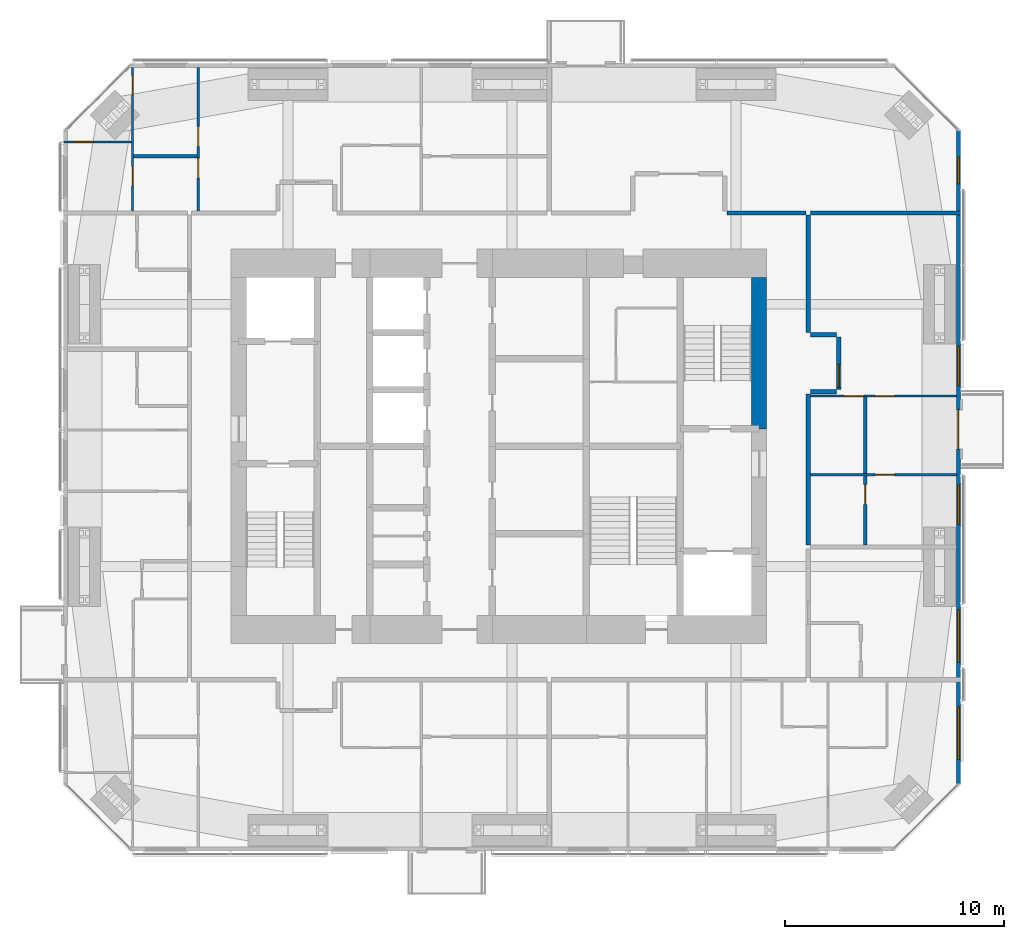
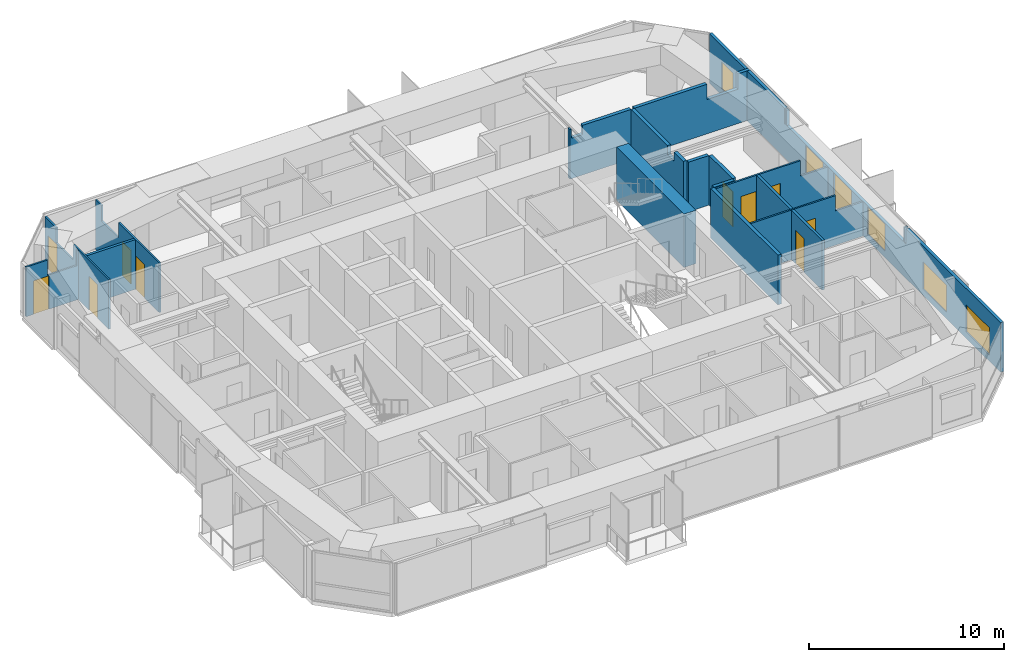
# One storey, part 20 of 22: 17 walls, 11 doors, 5 windows, 16 openings.
"""IFC4 building model written with IfcOpenShell, lengths in metres."""

import ifcopenshell
import ifcopenshell.guid

model = None  # the IFC model being written
_history = None  # IfcOwnerHistory: only IFC2X3 demands one
_inside = {}  # id of a spatial element -> (the spatial element, [elements in it])
_under = {}  # id of a project, library or spatial element -> (it, [spatial elements below it])
_declared = {}  # id of a project -> (the project, [libraries it declares])
_typed = {}  # id of a type object -> (the type object, [elements of that type])
_made_of = {}  # id of a material, layer set ... -> (it, [elements and type objects made of it])


def new_model(schema):
    """Start an empty IFC model of exactly this schema.

    Asked for "IFC4X3", IfcOpenShell would pick the latest addendum, in which some entities
    have other attributes; the version numbers below select the first issue.
    IFC2X3 requires an IfcOwnerHistory on every rooted entity: one is made here for all.
    """
    global model, _history
    if schema == "IFC4X3":
        model = ifcopenshell.file(schema_version=(4, 3, 0, 0))
    else:
        model = ifcopenshell.file(schema=schema)
    _inside.clear()
    _under.clear()
    _declared.clear()
    _typed.clear()
    _made_of.clear()
    _history = None
    if model.schema == "IFC2X3":
        org = make("IfcOrganization", Name="unknown")
        user = make(
            "IfcPersonAndOrganization",
            ThePerson=make("IfcPerson", FamilyName="unknown"),
            TheOrganization=org,
        )
        app = make(
            "IfcApplication",
            ApplicationDeveloper=org,
            Version="unknown",
            ApplicationFullName="unknown",
            ApplicationIdentifier="unknown",
        )
        _history = make(
            "IfcOwnerHistory",
            OwningUser=user,
            OwningApplication=app,
            ChangeAction="ADDED",
            CreationDate=0,
        )
    return model


def make(cls, **values):
    """One entity of the class cls with the attributes given. An attribute that is None is left unset."""
    return model.create_entity(
        cls, **{name: value for name, value in values.items() if value is not None}
    )


def rooted(cls, **values):
    """An entity with a GlobalId (a new one), such as an element, a storey or a relation."""
    return make(cls, GlobalId=ifcopenshell.guid.new(), OwnerHistory=_history, **values)


def si_unit(unit_type, name, prefix=None):
    """IfcSIUnit, for example si_unit("LENGTHUNIT", "METRE", prefix="MILLI")."""
    return make("IfcSIUnit", UnitType=unit_type, Prefix=prefix, Name=name)


def assignment(units):
    """IfcUnitAssignment: the units of a project."""
    return None if units is None else make("IfcUnitAssignment", Units=units)


def point(xyz):
    """IfcCartesianPoint."""
    return None if xyz is None else make("IfcCartesianPoint", Coordinates=xyz)


def direction(xyz):
    """IfcDirection."""
    return None if xyz is None else make("IfcDirection", DirectionRatios=xyz)


def frame(location, z_axis=None, x_axis=None):
    """IfcAxis2Placement3D, a coordinate frame: its origin and axes. An axis left out is left unset."""
    return make(
        "IfcAxis2Placement3D",
        Location=point(location),
        Axis=direction(z_axis),
        RefDirection=direction(x_axis),
    )


def frame_2d(location, x_axis=None):
    """IfcAxis2Placement2D, a coordinate frame in the plane: its origin and x axis."""
    return make(
        "IfcAxis2Placement2D", Location=point(location), RefDirection=direction(x_axis)
    )


def origin():
    """The frame at (0, 0, 0) with its axes left unset."""
    return frame((0.0, 0.0, 0.0))


def place(relative_to, where):
    """IfcLocalPlacement: puts the frame where relative to a parent placement (None: the world)."""
    return make(
        "IfcLocalPlacement", PlacementRelTo=relative_to, RelativePlacement=where
    )


def context(
    kind, dimensions, precision=None, world=None, true_north=None, identifier=None
):
    """IfcGeometricRepresentationContext, for example the 3D "Model" context."""
    return make(
        "IfcGeometricRepresentationContext",
        ContextIdentifier=identifier,
        ContextType=kind,
        CoordinateSpaceDimension=dimensions,
        Precision=precision,
        WorldCoordinateSystem=world,
        TrueNorth=true_north,
    )


def subcontext(parent, identifier, kind, view, scale=None):
    """IfcGeometricRepresentationSubContext, for example "Body" below "Model"."""
    return make(
        "IfcGeometricRepresentationSubContext",
        ContextIdentifier=identifier,
        ContextType=kind,
        ParentContext=parent,
        TargetScale=scale,
        TargetView=view,
    )


def project(units=None, contexts=None):
    """IfcProject with its units and contexts."""
    return rooted(
        "IfcProject",
        Name="project",
        RepresentationContexts=contexts,
        UnitsInContext=assignment(units),
    )


def spatial(cls, under=None, at=None, **own):
    """A site, building, storey or space (cls), placed at a placement, below another one or the project."""
    s = rooted(cls, ObjectPlacement=at, **own)
    if under is not None:
        _under.setdefault(under.id(), (under, []))[1].append(s)
    return s


def polyline(points):
    """IfcPolyline through the points."""
    return make("IfcPolyline", Points=[point(p) for p in points])


def profile(cls, at=None, kind="AREA", **sizes):
    """A parametric profile (cls). Its sizes go by their IFC names, for example OverallWidth=200.0."""
    return make(cls, ProfileType=kind, Position=at, **sizes)


def rectangle(**sizes):
    """IfcRectangleProfileDef."""
    return profile("IfcRectangleProfileDef", **sizes)


def outline(outer, holes=None, kind="AREA"):
    """IfcArbitraryClosedProfileDef: a profile drawn as a closed curve; with holes, ...WithVoids."""
    if holes is None:
        return make("IfcArbitraryClosedProfileDef", ProfileType=kind, OuterCurve=outer)
    return make(
        "IfcArbitraryProfileDefWithVoids",
        ProfileType=kind,
        OuterCurve=outer,
        InnerCurves=holes,
    )


def extrude(swept, where, along, depth):
    """IfcExtrudedAreaSolid: the profile swept, set in the frame where, extruded along a direction by depth."""
    return make(
        "IfcExtrudedAreaSolid",
        SweptArea=swept,
        Position=where,
        ExtrudedDirection=direction(along),
        Depth=depth,
    )


def shape(context_of_items, identifier, shape_type, items):
    """IfcShapeRepresentation: the items that make up one representation, for example the "Body"."""
    return make(
        "IfcShapeRepresentation",
        ContextOfItems=context_of_items,
        RepresentationIdentifier=identifier,
        RepresentationType=shape_type,
        Items=items,
    )


def material(Name=None, Category=None):
    """IfcMaterial."""
    return make("IfcMaterial", Name=Name, Category=Category)


def layer(
    of_material, thickness, ventilated=None, Name=None, Category=None, Priority=None
):
    """IfcMaterialLayer: one layer of a wall or slab, of a material (None: an air gap)."""
    return make(
        "IfcMaterialLayer",
        Material=of_material,
        LayerThickness=thickness,
        IsVentilated=ventilated,
        Name=Name,
        Category=Category,
        Priority=Priority,
    )


def layer_set(layers, Name=None):
    """IfcMaterialLayerSet."""
    return make("IfcMaterialLayerSet", MaterialLayers=layers, LayerSetName=Name)


def constituent(of_material, Name=None, Category=None, fraction=None):
    """IfcMaterialConstituent: one of the materials an element consists of."""
    return make(
        "IfcMaterialConstituent",
        Name=Name,
        Material=of_material,
        Fraction=fraction,
        Category=Category,
    )


def constituent_set(constituents=None, Name=None):
    """IfcMaterialConstituentSet."""
    return make(
        "IfcMaterialConstituentSet", Name=Name, MaterialConstituents=constituents
    )


def made_of(thing, what):
    """Note that an element or type object is made of a material, layer set ...; save() writes the relation."""
    if what is not None:
        _made_of.setdefault(what.id(), (what, []))[1].append(thing)
    return thing


def type_object(cls, material=None, **own):
    """A type object (cls), such as IfcWallType, which elements share."""
    return made_of(rooted(cls, **own), material)


def element(
    cls,
    number,
    at=None,
    inside=None,
    cuts=None,
    type_object=None,
    material=None,
    context=None,
    identifier="Body",
    shape_type=None,
    held_by="IfcProductDefinitionShape",
    body=None,
    shapes=None,
    **own,
):
    """One element of the class cls, such as IfcWall. Its Tag is "e" and its number.

    at: its placement. inside: the storey or other place that contains it. cuts: it is an
    opening in that element (IfcRelVoidsElement). A single representation is given by context,
    identifier, shape_type and body (its items); several are given by shapes. held_by: the class
    of the entity that holds the representations. save() writes the other relations.
    """
    e = rooted(cls, Tag="e%d" % number, ObjectPlacement=at, **own)
    if body is not None:
        shapes = [shape(context, identifier, shape_type, body)]
    if shapes is not None:
        e.Representation = make(held_by, Representations=shapes)
    if inside is not None:
        _inside.setdefault(inside.id(), (inside, []))[1].append(e)
    if cuts is not None:
        rooted(
            "IfcRelVoidsElement", RelatingBuildingElement=cuts, RelatedOpeningElement=e
        )
    if type_object is not None:
        _typed.setdefault(type_object.id(), (type_object, []))[1].append(e)
    return made_of(e, material)


def fill(opening, filler):
    """IfcRelFillsElement: the door or window that sits in an opening."""
    return rooted(
        "IfcRelFillsElement",
        RelatingOpeningElement=opening,
        RelatedBuildingElement=filler,
    )


def aggregate(whole, parts):
    """IfcRelAggregates: a whole, such as a stair, and the parts it consists of."""
    return rooted("IfcRelAggregates", RelatingObject=whole, RelatedObjects=parts)


def save(model, path):
    """Write the relations noted so far, then the file.

    IfcRelAggregates (storeys below a building ...), IfcRelContainedInSpatialStructure (elements
    in a storey), IfcRelDefinesByType, IfcRelAssociatesMaterial and IfcRelDeclares: one each for
    every whole, place, type object, material and project.
    """
    for whole, parts in _under.values():
        aggregate(whole, parts)
    for where, things in _inside.values():
        rooted(
            "IfcRelContainedInSpatialStructure",
            RelatedElements=things,
            RelatingStructure=where,
        )
    for kind, things in _typed.values():
        rooted("IfcRelDefinesByType", RelatedObjects=things, RelatingType=kind)
    for what, things in _made_of.values():
        rooted("IfcRelAssociatesMaterial", RelatedObjects=things, RelatingMaterial=what)
    for by, libraries in _declared.values():
        rooted("IfcRelDeclares", RelatingContext=by, RelatedDefinitions=libraries)
    model.write(path)


model = new_model("IFC4")

# Units and contexts
model_context = context("Model", 3, precision=1e-05, world=origin(), true_north=direction((0.0, 1.0)))
body_context = subcontext(model_context, "Body", "Model", "MODEL_VIEW")
ifc_project = project(units=[si_unit("LENGTHUNIT", "METRE"), si_unit("AREAUNIT", "SQUARE_METRE"), si_unit("VOLUMEUNIT", "CUBIC_METRE"), si_unit("PLANEANGLEUNIT", "RADIAN"), si_unit("MASSUNIT", "GRAM", prefix="KILO")], contexts=[model_context])

# Site, building, storey
site_placement = place(None, origin())
site = spatial("IfcSite", under=ifc_project, at=site_placement, CompositionType="ELEMENT")
building_placement = place(site_placement, origin())
building = spatial("IfcBuilding", under=site, at=building_placement, Name="Jalousie Tower", CompositionType="ELEMENT")
storey_placement = place(building_placement, frame((0.0, 0.0, 201.25)))
storey = spatial("IfcBuildingStorey", under=building, at=storey_placement, Name="L55", CompositionType="ELEMENT", Elevation=201.25)

# Wall
ifc_material_1 = material(Name="Concrete block ASTM C90", Category="concrete")
ifc_constituent_1 = constituent(ifc_material_1, Name="Body")
ifc_material_2 = material(Name="Render")
ifc_constituent_2 = constituent(ifc_material_2, Name="Finish")
ifc_constituent_set_1 = constituent_set(constituents=[ifc_constituent_1, ifc_constituent_2])
wall_type_1 = type_object("IfcWallType", Name="BATHROOM WALL 150", PredefinedType="PLUMBINGWALL", material=ifc_constituent_set_1)
wall_1_placement = place(storey_placement, frame((15.199951171875, 31.77490234375, 0.0), z_axis=(0.0, 0.0, 1.0), x_axis=(1.0, 0.0, 0.0)))
element("IfcWall", 1, at=wall_1_placement, inside=storey, type_object=wall_type_1, Name="Bathroom Wall 150 L55", PredefinedType="PLUMBINGWALL", context=body_context, shape_type="SweptSolid", body=[
    extrude(rectangle(XDim=2.900146484375, YDim=0.14990234375, at=frame_2d((1.4501953125, 0.0))), origin(), (0.0, 0.0, 1.0), 3.110107421875),
])

# Wall, opening, door
wall_2_placement = place(storey_placement, frame((48.64990234375, 14.0, 0.0), z_axis=(0.0, 0.0, 1.0), x_axis=(0.0, 1.0, 0.0)))
wall_2 = element("IfcWall", 2, at=wall_2_placement, inside=storey, type_object=wall_type_1, Name="Bathroom Wall 150 L55", PredefinedType="PLUMBINGWALL", context=body_context, shape_type="SweptSolid", body=[
    extrude(rectangle(XDim=3.14990234375, YDim=0.14990234375, at=frame_2d((1.574951171875, 0.0))), origin(), (0.0, 0.0, 1.0), 3.110107421875),
])
opening_1_placement = place(wall_2_placement, frame((1.85009765625, 0.0, 0.0)))
opening_1 = element("IfcOpeningElement", 3, at=opening_1_placement, cuts=wall_2, Name="Opening D3", PredefinedType="OPENING", context=body_context, shape_type="SweptSolid", body=[
    extrude(rectangle(XDim=0.89990234375, YDim=2.10009765625, at=frame_2d((0.449951171875, 1.050048828125))), frame((0.0, 0.0849609375, 0.0), z_axis=(0.0, -1.0, 0.0), x_axis=(1.0, 0.0, 0.0)), (0.0, 0.0, 1.0), 0.169921875),
])
ifc_material_3 = material(Name="Timber door", Category="wood")
door_type_1 = type_object("IfcDoorType", Name="BATHROOM DOOR 900", OperationType="SINGLE_SWING_LEFT", PredefinedType="DOOR", material=ifc_material_3)
door_1_placement = place(opening_1_placement, origin())
door_1 = element("IfcDoor", 4, at=door_1_placement, inside=storey, type_object=door_type_1, Name="Apartment 5507 bedroom 1 bathroom door", OperationType="SINGLE_SWING_RIGHT", OverallHeight=2.10009765625, OverallWidth=0.89990234375, PredefinedType="DOOR", context=body_context, shape_type="SweptSolid", body=[
    extrude(rectangle(XDim=0.89990234375, YDim=2.10009765625, at=frame_2d((0.449951171875, 1.050048828125))), frame((0.0, 0.02490234375, 0.0), z_axis=(0.0, -1.0, 0.0), x_axis=(1.0, 0.0, 0.0)), (0.0, 0.0, 1.0), 0.050048828125),
])
fill(opening_1, door_1)

# Walls
wall_3_placement = place(storey_placement, frame((48.64990234375, 17.25, 0.0), z_axis=(0.0, 0.0, 1.0), x_axis=(0.0, 1.0, 0.0)))
element("IfcWall", 5, at=wall_3_placement, inside=storey, type_object=wall_type_1, Name="Bathroom Wall 150 L55", PredefinedType="PLUMBINGWALL", context=body_context, shape_type="SweptSolid", body=[
    extrude(rectangle(XDim=3.5, YDim=0.14990234375, at=frame_2d((1.75, 0.0))), origin(), (0.0, 0.0, 1.0), 3.110107421875),
])
ifc_material_4 = material(Name="Concrete f'c 120 MPa", Category="concrete")
ifc_layer = layer(ifc_material_4, 0.699951171875)
ifc_layer_set = layer_set([ifc_layer], Name="Concrete f'c 120 MPa")
wall_type_2 = type_object("IfcWallType", Name="CORE WALL 700", PredefinedType="SHEAR", material=ifc_layer_set)
wall_4_placement = place(storey_placement, frame((43.800048828125, 19.300048828125, 0.0), z_axis=(0.0, 0.0, 1.0), x_axis=(0.0, 1.0, 0.0)))
element("IfcWall", 6, at=wall_4_placement, inside=storey, type_object=wall_type_2, Name="Core wall EC L55", PredefinedType="SHEAR", context=body_context, shape_type="SweptSolid", body=[
    extrude(rectangle(XDim=6.925048828125, YDim=0.699951171875, at=frame_2d((3.46240234375, 0.0))), origin(), (0.0, 0.0, 1.0), 3.35009765625),
])
ifc_material_5 = material(Name="Concrete block ASTM C90", Category="concrete")
ifc_constituent_3 = constituent(ifc_material_5, Name="Body")
ifc_material_6 = material(Name="Render")
ifc_constituent_4 = constituent(ifc_material_6, Name="Finish")
ifc_constituent_set_2 = constituent_set(constituents=[ifc_constituent_3, ifc_constituent_4])
wall_type_3 = type_object("IfcWallType", Name="CORRIDOR WALL 200", PredefinedType="PARTITIONING", material=ifc_constituent_set_2)
wall_5_placement = place(storey_placement, frame((46.050048828125, 14.0, 0.0), z_axis=(0.0, 0.0, 1.0), x_axis=(0.0, 1.0, 0.0)))
element("IfcWall", 7, at=wall_5_placement, inside=storey, type_object=wall_type_3, Name="Corridor Wall 200 L55", PredefinedType="PARTITIONING", context=body_context, shape_type="SweptSolid", body=[
    extrude(rectangle(XDim=6.89990234375, YDim=0.199951171875, at=frame_2d((3.449951171875, 0.0))), origin(), (0.0, 0.0, 1.0), 3.110107421875),
])
wall_6_placement = place(storey_placement, frame((46.050048828125, 23.699951171875, 0.0), z_axis=(0.0, 0.0, 1.0), x_axis=(0.0, 1.0, 0.0)))
element("IfcWall", 8, at=wall_6_placement, inside=storey, type_object=wall_type_3, Name="Corridor Wall 200 L55", PredefinedType="PARTITIONING", context=body_context, shape_type="SweptSolid", body=[
    extrude(outline(polyline([(0.0, 0.0), (5.375, 0.0), (5.375, 3.110107421875), (1.63720703125, 3.110107421875), (1.63720703125, 2.541015625), (0.962646484375, 2.541015625), (0.962646484375, 3.110107421875), (0.0, 3.110107421875), (0.0, 0.0)])), frame((0.0, 0.10009765625, 0.0), z_axis=(0.0, -1.0, 0.0), x_axis=(1.0, 0.0, 0.0)), (0.0, 0.0, 1.0), 0.199951171875),
])

# Wall, opening, door
wall_7_placement = place(storey_placement, frame((47.449951171875, 21.10009765625, 0.0), z_axis=(0.0, 0.0, 1.0), x_axis=(0.0, 1.0, 0.0)))
wall_7 = element("IfcWall", 9, at=wall_7_placement, inside=storey, type_object=wall_type_3, Name="Corridor Wall 200 L55", PredefinedType="PARTITIONING", context=body_context, shape_type="SweptSolid", body=[
    extrude(rectangle(XDim=2.39990234375, YDim=0.199951171875, at=frame_2d((1.199951171875, 0.0))), origin(), (0.0, 0.0, 1.0), 3.110107421875),
])
opening_2_placement = place(wall_7_placement, frame((0.10009765625, 0.0, 0.0)))
opening_2 = element("IfcOpeningElement", 10, at=opening_2_placement, cuts=wall_7, Name="Opening D1", PredefinedType="OPENING", context=body_context, shape_type="SweptSolid", body=[
    extrude(rectangle(XDim=1.050048828125, YDim=2.199951171875, at=frame_2d((0.52490234375, 1.10009765625))), frame((0.0, 0.10986328125, 0.0), z_axis=(0.0, -1.0, 0.0), x_axis=(1.0, 0.0, 0.0)), (0.0, 0.0, 1.0), 0.219970703125),
])
ifc_material_7 = material(Name="Timber fire door", Category="wood")
door_type_2 = type_object("IfcDoorType", Name="APARTMENT ENTRANCE DOOR 1050", OperationType="SINGLE_SWING_LEFT", PredefinedType="DOOR", material=ifc_material_7)
door_2_placement = place(opening_2_placement, frame((1.050048828125, 0.0, 0.0), z_axis=(0.0, 0.0, 1.0), x_axis=(-1.0, 0.0, 0.0)))
door_2 = element("IfcDoor", 11, at=door_2_placement, inside=storey, type_object=door_type_2, Name="Apartment 5507 entrance", OperationType="SINGLE_SWING_RIGHT", OverallHeight=2.199951171875, OverallWidth=1.050048828125, PredefinedType="DOOR", context=body_context, shape_type="SweptSolid", body=[
    extrude(rectangle(XDim=1.050048828125, YDim=2.199951171875, at=frame_2d((0.52490234375, 1.10009765625))), frame((0.0, 0.02490234375, 0.0), z_axis=(0.0, -1.0, 0.0), x_axis=(1.0, 0.0, 0.0)), (0.0, 0.0, 1.0), 0.050048828125),
])
fill(opening_2, door_2)

# Walls
for number, where, z_axis, x_axis, name in (
    (12, (46.14990234375, 21.0, 0.0), (0.0, 0.0, 1.0), (1.0, 0.0, 0.0), "Corridor Wall 200 L55"),
    (13, (46.14990234375, 23.60009765625, 0.0), (0.0, 0.0, 1.0), (1.0, 0.0, 0.0), "Corridor Wall 200 L55"),
):
    element("IfcWall", number, at=place(storey_placement, frame(where, z_axis=z_axis, x_axis=x_axis)), inside=storey, type_object=wall_type_3, Name=name, PredefinedType="PARTITIONING", context=body_context, shape_type="SweptSolid", body=[
        extrude(rectangle(XDim=1.2001953125, YDim=0.199951171875, at=frame_2d((0.60009765625, 0.0))), origin(), (0.0, 0.0, 1.0), 3.110107421875),
    ])
wall_8_placement = place(storey_placement, frame((42.324951171875, 29.175048828125, 0.0), z_axis=(0.0, 0.0, 1.0), x_axis=(1.0, 0.0, 0.0)))
element("IfcWall", 14, at=wall_8_placement, inside=storey, type_object=wall_type_3, Name="Corridor Wall 200 L55", PredefinedType="PARTITIONING", context=body_context, shape_type="SweptSolid", body=[
    extrude(outline(polyline([(0.0, 0.0), (3.625, 0.0), (3.625, 3.110107421875), (0.76220703125, 3.110107421875), (0.76220703125, 2.541015625), (0.087646484375, 2.541015625), (0.087646484375, 3.110107421875), (0.0, 3.110107421875), (0.0, 0.0)])), frame((0.0, 0.10009765625, 0.0), z_axis=(0.0, -1.0, 0.0), x_axis=(1.0, 0.0, 0.0)), (0.0, 0.0, 1.0), 0.199951171875),
])

# Wall, openings, door, windows
ifc_material_8 = material(Name="Concrete f'c 40 MPa", Category="concrete")
ifc_constituent_5 = constituent(ifc_material_8, Name="Body")
ifc_material_9 = material(Name="Render, pastel lemon")
ifc_constituent_6 = constituent(ifc_material_9, Name="Finish")
ifc_constituent_set_3 = constituent_set(constituents=[ifc_constituent_5, ifc_constituent_6])
wall_type_4 = type_object("IfcWallType", Name="EXTERNAL WALL 175 LEMON RENDER", PredefinedType="SOLIDWALL", material=ifc_constituent_set_3)
wall_9_placement = place(storey_placement, frame((52.91259765625, 3.05126953125, 0.0), z_axis=(0.0, 0.0, 1.0), x_axis=(0.0, 1.0, 0.0)))
wall_9 = element("IfcWall", 15, at=wall_9_placement, inside=storey, type_object=wall_type_4, Name="External Wall 175 Lemon Render L55", PredefinedType="SOLIDWALL", context=body_context, shape_type="SweptSolid", body=[
    extrude(outline(polyline([(0.0, 0.0), (29.8974609375, 0.0), (29.8974609375, 3.110107421875), (22.16748046875, 3.110107421875), (22.16748046875, 2.14990234375), (22.073974609375, 2.14990234375), (22.073974609375, 3.110107421875), (21.94873046875, 3.110107421875), (21.94873046875, 2.14990234375), (9.94873046875, 2.14990234375), (9.94873046875, 3.110107421875), (9.846923828125, 3.110107421875), (9.846923828125, 2.14990234375), (9.7060546875, 2.14990234375), (9.7060546875, 3.110107421875), (0.0, 3.110107421875), (0.0, 0.0)])), frame((0.0, 0.08740234375, 0.0), z_axis=(0.0, -1.0, 0.0), x_axis=(1.0, 0.0, 0.0)), (0.0, 0.0, 1.0), 0.175048828125),
])
opening_3_placement = place(wall_9_placement, frame((1.136962890625, 0.0, 0.39990234375)))
opening_3 = element("IfcOpeningElement", 16, at=opening_3_placement, cuts=wall_9, Name="Opening W-LIV170", PredefinedType="OPENING", context=body_context, shape_type="SweptSolid", body=[
    extrude(rectangle(XDim=2.39990234375, YDim=1.699951171875, at=frame_2d((1.199951171875, 0.85009765625))), frame((0.0, 0.097412109375, 0.0), z_axis=(0.0, -1.0, 0.0), x_axis=(1.0, 0.0, 0.0)), (0.0, 0.0, 1.0), 0.195068359375),
])
opening_4_placement = place(wall_9_placement, frame((5.570556640625, 0.0, 0.39990234375)))
opening_4 = element("IfcOpeningElement", 17, at=opening_4_placement, cuts=wall_9, Name="Opening W-LIV170", PredefinedType="OPENING", context=body_context, shape_type="SweptSolid", body=[
    extrude(rectangle(XDim=2.39990234375, YDim=1.699951171875, at=frame_2d((1.199951171875, 0.85009765625))), frame((0.0, 0.097412109375, 0.0), z_axis=(0.0, -1.0, 0.0), x_axis=(1.0, 0.0, 0.0)), (0.0, 0.0, 1.0), 0.195068359375),
])
opening_5_placement = place(wall_9_placement, frame((11.878662109375, 0.0, 0.39990234375)))
opening_5 = element("IfcOpeningElement", 18, at=opening_5_placement, cuts=wall_9, Name="Opening W-BED170", PredefinedType="OPENING", context=body_context, shape_type="SweptSolid", body=[
    extrude(rectangle(XDim=1.800048828125, YDim=1.699951171875, at=frame_2d((0.89990234375, 0.85009765625))), frame((0.0, 0.097412109375, 0.0), z_axis=(0.0, -1.0, 0.0), x_axis=(1.0, 0.0, 0.0)), (0.0, 0.0, 1.0), 0.195068359375),
])
opening_6_placement = place(wall_9_placement, frame((15.32373046875, 0.0, 0.0)))
opening_6 = element("IfcOpeningElement", 19, at=opening_6_placement, cuts=wall_9, Name="Opening D-BAL21", PredefinedType="OPENING", context=body_context, shape_type="SweptSolid", body=[
    extrude(rectangle(XDim=1.800048828125, YDim=2.10009765625, at=frame_2d((0.89990234375, 1.050048828125))), frame((0.0, 0.097412109375, 0.0), z_axis=(0.0, -1.0, 0.0), x_axis=(1.0, 0.0, 0.0)), (0.0, 0.0, 1.0), 0.195068359375),
])
opening_7_placement = place(wall_9_placement, frame((18.2236328125, 0.0, 0.39990234375)))
opening_7 = element("IfcOpeningElement", 20, at=opening_7_placement, cuts=wall_9, Name="Opening W-BED170", PredefinedType="OPENING", context=body_context, shape_type="SweptSolid", body=[
    extrude(rectangle(XDim=1.800048828125, YDim=1.699951171875, at=frame_2d((0.89990234375, 0.85009765625))), frame((0.0, 0.097412109375, 0.0), z_axis=(0.0, -1.0, 0.0), x_axis=(1.0, 0.0, 0.0)), (0.0, 0.0, 1.0), 0.195068359375),
])
opening_8_placement = place(wall_9_placement, frame((27.460693359375, 0.0, 0.39990234375)))
opening_8 = element("IfcOpeningElement", 21, at=opening_8_placement, cuts=wall_9, Name="Opening W-COR170", PredefinedType="OPENING", context=body_context, shape_type="SweptSolid", body=[
    extrude(rectangle(XDim=1.199951171875, YDim=1.699951171875, at=frame_2d((0.60009765625, 0.85009765625))), frame((0.0, 0.097412109375, 0.0), z_axis=(0.0, -1.0, 0.0), x_axis=(1.0, 0.0, 0.0)), (0.0, 0.0, 1.0), 0.195068359375),
])
ifc_material_10 = material(Name="Aluminium frame, impact-rated glazing", Category="aluminium")
door_type_3 = type_object("IfcDoorType", Name="BALCONY DOOR 1800x2100", OperationType="SLIDING_TO_LEFT", PredefinedType="DOOR", material=ifc_material_10)
door_3_placement = place(opening_6_placement, origin())
door_3 = element("IfcDoor", 22, at=door_3_placement, inside=storey, type_object=door_type_3, Name="Apartment 5507 bedroom 2 balcony door", OperationType="SLIDING_TO_LEFT", OverallHeight=2.10009765625, OverallWidth=1.800048828125, PredefinedType="DOOR", context=body_context, shape_type="SweptSolid", body=[
    extrude(rectangle(XDim=1.800048828125, YDim=2.10009765625, at=frame_2d((0.89990234375, 1.050048828125))), frame((0.0, 0.02490234375, 0.0), z_axis=(0.0, -1.0, 0.0), x_axis=(1.0, 0.0, 0.0)), (0.0, 0.0, 1.0), 0.050048828125),
])
fill(opening_6, door_3)
ifc_material_11 = material(Name="Aluminium frame, impact-rated glazing", Category="aluminium")
window_type_1 = type_object("IfcWindowType", Name="WINDOW BED 1800x1700", PartitioningType="SINGLE_PANEL", PredefinedType="WINDOW", material=ifc_material_11)
window_1_placement = place(opening_5_placement, origin())
window_1 = element("IfcWindow", 23, at=window_1_placement, inside=storey, type_object=window_type_1, Name="Apartment 5507 bedroom 1 window", OverallHeight=1.699951171875, OverallWidth=1.800048828125, PartitioningType="SINGLE_PANEL", PredefinedType="WINDOW", context=body_context, shape_type="SweptSolid", body=[
    extrude(rectangle(XDim=1.800048828125, YDim=1.699951171875, at=frame_2d((0.89990234375, 0.85009765625))), frame((0.0, 0.030029296875, 0.0), z_axis=(0.0, -1.0, 0.0), x_axis=(1.0, 0.0, 0.0)), (0.0, 0.0, 1.0), 0.06005859375),
])
fill(opening_5, window_1)
window_2_placement = place(opening_7_placement, origin())
window_2 = element("IfcWindow", 24, at=window_2_placement, inside=storey, type_object=window_type_1, Name="Apartment 5507 living, dining and kitchen window", OverallHeight=1.699951171875, OverallWidth=1.800048828125, PartitioningType="SINGLE_PANEL", PredefinedType="WINDOW", context=body_context, shape_type="SweptSolid", body=[
    extrude(rectangle(XDim=1.800048828125, YDim=1.699951171875, at=frame_2d((0.89990234375, 0.85009765625))), frame((0.0, 0.030029296875, 0.0), z_axis=(0.0, -1.0, 0.0), x_axis=(1.0, 0.0, 0.0)), (0.0, 0.0, 1.0), 0.06005859375),
])
fill(opening_7, window_2)
ifc_material_12 = material(Name="Aluminium frame, impact-rated glazing", Category="aluminium")
window_type_2 = type_object("IfcWindowType", Name="WINDOW COR 1200x1700", PartitioningType="SINGLE_PANEL", PredefinedType="WINDOW", material=ifc_material_12)
window_3_placement = place(opening_8_placement, origin())
window_3 = element("IfcWindow", 25, at=window_3_placement, inside=storey, type_object=window_type_2, Name="Residents' lounge window", OverallHeight=1.699951171875, OverallWidth=1.199951171875, PartitioningType="SINGLE_PANEL", PredefinedType="WINDOW", context=body_context, shape_type="SweptSolid", body=[
    extrude(rectangle(XDim=1.199951171875, YDim=1.699951171875, at=frame_2d((0.60009765625, 0.85009765625))), frame((0.0, 0.030029296875, 0.0), z_axis=(0.0, -1.0, 0.0), x_axis=(1.0, 0.0, 0.0)), (0.0, 0.0, 1.0), 0.06005859375),
])
fill(opening_8, window_3)
ifc_material_13 = material(Name="Aluminium frame, impact-rated glazing", Category="aluminium")
window_type_3 = type_object("IfcWindowType", Name="WINDOW LIV 2400x1700", PartitioningType="DOUBLE_PANEL_VERTICAL", PredefinedType="WINDOW", material=ifc_material_13)
window_4_placement = place(opening_3_placement, origin())
window_4 = element("IfcWindow", 26, at=window_4_placement, inside=storey, type_object=window_type_3, Name="Apartment 5502 living and dining room window", OverallHeight=1.699951171875, OverallWidth=2.39990234375, PartitioningType="SINGLE_PANEL", PredefinedType="WINDOW", context=body_context, shape_type="SweptSolid", body=[
    extrude(rectangle(XDim=2.39990234375, YDim=1.699951171875, at=frame_2d((1.199951171875, 0.85009765625))), frame((0.0, 0.030029296875, 0.0), z_axis=(0.0, -1.0, 0.0), x_axis=(1.0, 0.0, 0.0)), (0.0, 0.0, 1.0), 0.06005859375),
])
fill(opening_3, window_4)
window_5_placement = place(opening_4_placement, origin())
window_5 = element("IfcWindow", 27, at=window_5_placement, inside=storey, type_object=window_type_3, Name="Apartment 5506 studio kitchen, living and sleeping room window", OverallHeight=1.699951171875, OverallWidth=2.39990234375, PartitioningType="SINGLE_PANEL", PredefinedType="WINDOW", context=body_context, shape_type="SweptSolid", body=[
    extrude(rectangle(XDim=2.39990234375, YDim=1.699951171875, at=frame_2d((1.199951171875, 0.85009765625))), frame((0.0, 0.030029296875, 0.0), z_axis=(0.0, -1.0, 0.0), x_axis=(1.0, 0.0, 0.0)), (0.0, 0.0, 1.0), 0.06005859375),
])
fill(opening_4, window_5)

# Wall, openings, doors
ifc_material_14 = material(Name="Gypsum board", Category="gypsum")
ifc_constituent_7 = constituent(ifc_material_14, Name="Body")
ifc_material_15 = material(Name="Light-gauge steel studs ASTM A653 SS Grade 33", Category="steel")
ifc_constituent_8 = constituent(ifc_material_15, Name="Framing")
ifc_constituent_set_4 = constituent_set(constituents=[ifc_constituent_7, ifc_constituent_8])
wall_type_5 = type_object("IfcWallType", Name="PARTITION 100", PredefinedType="PARTITIONING", material=ifc_constituent_set_4)
wall_10_placement = place(storey_placement, frame((15.14990234375, 35.824951171875, 0.0), z_axis=(0.0, 0.0, 1.0), x_axis=(0.0, -1.0, 0.0)))
wall_10 = element("IfcWall", 28, at=wall_10_placement, inside=storey, type_object=wall_type_5, Name="Partition 100 L55", PredefinedType="PARTITIONING", context=body_context, shape_type="SweptSolid", body=[
    extrude(outline(polyline([(0.0, 0.0), (6.550048828125, 0.0), (6.550048828125, 3.110107421875), (2.905029296875, 3.110107421875), (2.905029296875, 2.14990234375), (1.158203125, 2.14990234375), (1.158203125, 3.110107421875), (0.0, 3.110107421875), (0.0, 0.0)])), frame((0.0, 0.050048828125, 0.0), z_axis=(0.0, -1.0, 0.0), x_axis=(1.0, 0.0, 0.0)), (0.0, 0.0, 1.0), 0.10009765625),
])
opening_9_placement = place(wall_10_placement, frame((0.35498046875, 0.0, 0.0)))
opening_9 = element("IfcOpeningElement", 29, at=opening_9_placement, cuts=wall_10, Name="Opening D2", PredefinedType="OPENING", context=body_context, shape_type="SweptSolid", body=[
    extrude(rectangle(XDim=0.89990234375, YDim=2.10009765625, at=frame_2d((0.449951171875, 1.050048828125))), frame((0.0, 0.06005859375, 0.0), z_axis=(0.0, -1.0, 0.0), x_axis=(1.0, 0.0, 0.0)), (0.0, 0.0, 1.0), 0.1201171875),
])
opening_10_placement = place(wall_10_placement, frame((4.52734375, 0.0, 0.0)))
opening_10 = element("IfcOpeningElement", 30, at=opening_10_placement, cuts=wall_10, Name="Opening D3", PredefinedType="OPENING", context=body_context, shape_type="SweptSolid", body=[
    extrude(rectangle(XDim=0.89990234375, YDim=2.10009765625, at=frame_2d((0.449951171875, 1.050048828125))), frame((0.0, 0.06005859375, 0.0), z_axis=(0.0, -1.0, 0.0), x_axis=(1.0, 0.0, 0.0)), (0.0, 0.0, 1.0), 0.1201171875),
])
door_4_placement = place(opening_10_placement, origin())
door_4 = element("IfcDoor", 31, at=door_4_placement, inside=storey, type_object=door_type_1, Name="Apartment 5503 bedroom 1 bathroom door", OperationType="SINGLE_SWING_LEFT", OverallHeight=2.10009765625, OverallWidth=0.89990234375, PredefinedType="DOOR", context=body_context, shape_type="SweptSolid", body=[
    extrude(rectangle(XDim=0.89990234375, YDim=2.10009765625, at=frame_2d((0.449951171875, 1.050048828125))), frame((0.0, 0.02490234375, 0.0), z_axis=(0.0, -1.0, 0.0), x_axis=(1.0, 0.0, 0.0)), (0.0, 0.0, 1.0), 0.050048828125),
])
fill(opening_10, door_4)
ifc_material_16 = material(Name="Timber door", Category="wood")
door_type_4 = type_object("IfcDoorType", Name="BEDROOM DOOR 900", OperationType="SINGLE_SWING_LEFT", PredefinedType="DOOR", material=ifc_material_16)
door_5_placement = place(opening_9_placement, origin())
door_5 = element("IfcDoor", 32, at=door_5_placement, inside=storey, type_object=door_type_4, Name="Apartment 5503 bedroom 1 door", OperationType="SINGLE_SWING_LEFT", OverallHeight=2.10009765625, OverallWidth=0.89990234375, PredefinedType="DOOR", context=body_context, shape_type="SweptSolid", body=[
    extrude(rectangle(XDim=0.89990234375, YDim=2.10009765625, at=frame_2d((0.449951171875, 1.050048828125))), frame((0.0, 0.02490234375, 0.0), z_axis=(0.0, -1.0, 0.0), x_axis=(1.0, 0.0, 0.0)), (0.0, 0.0, 1.0), 0.050048828125),
])
fill(opening_9, door_5)

wall_11_placement = place(storey_placement, frame((18.14990234375, 35.824951171875, 0.0), z_axis=(0.0, 0.0, 1.0), x_axis=(0.0, -1.0, 0.0)))
wall_11 = element("IfcWall", 33, at=wall_11_placement, inside=storey, type_object=wall_type_5, Name="Partition 100 L55", PredefinedType="PARTITIONING", context=body_context, shape_type="SweptSolid", body=[
    extrude(outline(polyline([(0.0, 0.0), (6.550048828125, 0.0), (6.550048828125, 3.110107421875), (2.3740234375, 3.110107421875), (2.3740234375, 2.14990234375), (0.627197265625, 2.14990234375), (0.627197265625, 3.110107421875), (0.0, 3.110107421875), (0.0, 0.0)])), frame((0.0, 0.050048828125, 0.0), z_axis=(0.0, -1.0, 0.0), x_axis=(1.0, 0.0, 0.0)), (0.0, 0.0, 1.0), 0.10009765625),
])
opening_11_placement = place(wall_11_placement, frame((2.699951171875, 0.0, 0.0)))
opening_11 = element("IfcOpeningElement", 34, at=opening_11_placement, cuts=wall_11, Name="Opening D2", PredefinedType="OPENING", context=body_context, shape_type="SweptSolid", body=[
    extrude(rectangle(XDim=0.89990234375, YDim=2.10009765625, at=frame_2d((0.449951171875, 1.050048828125))), frame((0.0, 0.06005859375, 0.0), z_axis=(0.0, -1.0, 0.0), x_axis=(1.0, 0.0, 0.0)), (0.0, 0.0, 1.0), 0.1201171875),
])
opening_12_placement = place(wall_11_placement, frame((4.14990234375, 0.0, 0.0)))
opening_12 = element("IfcOpeningElement", 35, at=opening_12_placement, cuts=wall_11, Name="Opening D7", PredefinedType="OPENING", context=body_context, shape_type="SweptSolid", body=[
    extrude(rectangle(XDim=0.89990234375, YDim=2.10009765625, at=frame_2d((0.449951171875, 1.050048828125))), frame((0.0, 0.06005859375, 0.0), z_axis=(0.0, -1.0, 0.0), x_axis=(1.0, 0.0, 0.0)), (0.0, 0.0, 1.0), 0.1201171875),
])
door_6_placement = place(opening_11_placement, frame((0.89990234375, 0.0, 0.0), z_axis=(0.0, 0.0, 1.0), x_axis=(-1.0, 0.0, 0.0)))
door_6 = element("IfcDoor", 36, at=door_6_placement, inside=storey, type_object=door_type_4, Name="Apartment 5503 bedroom 2 door", OperationType="SINGLE_SWING_LEFT", OverallHeight=2.10009765625, OverallWidth=0.89990234375, PredefinedType="DOOR", context=body_context, shape_type="SweptSolid", body=[
    extrude(rectangle(XDim=0.89990234375, YDim=2.10009765625, at=frame_2d((0.449951171875, 1.050048828125))), frame((0.0, 0.02490234375, 0.0), z_axis=(0.0, -1.0, 0.0), x_axis=(1.0, 0.0, 0.0)), (0.0, 0.0, 1.0), 0.050048828125),
])
fill(opening_11, door_6)
ifc_material_17 = material(Name="Timber door", Category="wood")
door_type_5 = type_object("IfcDoorType", Name="INTERNAL DOOR 900", OperationType="SINGLE_SWING_LEFT", PredefinedType="DOOR", material=ifc_material_17)
door_7_placement = place(opening_12_placement, frame((0.89990234375, 0.0, 0.0), z_axis=(0.0, 0.0, 1.0), x_axis=(-1.0, 0.0, 0.0)))
door_7 = element("IfcDoor", 37, at=door_7_placement, inside=storey, type_object=door_type_5, Name="Apartment 5503 bathroom door", OperationType="SINGLE_SWING_RIGHT", OverallHeight=2.10009765625, OverallWidth=0.89990234375, PredefinedType="DOOR", context=body_context, shape_type="SweptSolid", body=[
    extrude(rectangle(XDim=0.89990234375, YDim=2.10009765625, at=frame_2d((0.449951171875, 1.050048828125))), frame((0.0, 0.02490234375, 0.0), z_axis=(0.0, -1.0, 0.0), x_axis=(1.0, 0.0, 0.0)), (0.0, 0.0, 1.0), 0.050048828125),
])
fill(opening_12, door_7)

# Wall, opening, door
wall_12_placement = place(storey_placement, frame((12.0, 32.420166015625, 0.0), z_axis=(0.0, 0.0, 1.0), x_axis=(1.0, 0.0, 0.0)))
wall_12 = element("IfcWall", 38, at=wall_12_placement, inside=storey, type_object=wall_type_5, Name="Partition 100 L55", PredefinedType="PARTITIONING", context=body_context, shape_type="SweptSolid", body=[
    extrude(outline(polyline([(0.0, 0.0), (3.10009765625, 0.0), (3.10009765625, 3.110107421875), (3.0205078125, 3.110107421875), (3.0205078125, 2.14990234375), (1.2783203125, 2.14990234375), (1.2783203125, 3.110107421875), (0.0, 3.110107421875), (0.0, 0.0)])), frame((0.0, 0.050048828125, 0.0), z_axis=(0.0, -1.0, 0.0), x_axis=(1.0, 0.0, 0.0)), (0.0, 0.0, 1.0), 0.10009765625),
])
opening_13_placement = place(wall_12_placement, frame((0.449951171875, 0.0, 0.0)))
opening_13 = element("IfcOpeningElement", 39, at=opening_13_placement, cuts=wall_12, Name="Opening D7", PredefinedType="OPENING", context=body_context, shape_type="SweptSolid", body=[
    extrude(rectangle(XDim=0.89990234375, YDim=2.10009765625, at=frame_2d((0.449951171875, 1.050048828125))), frame((0.0, 0.06005859375, 0.0), z_axis=(0.0, -1.0, 0.0), x_axis=(1.0, 0.0, 0.0)), (0.0, 0.0, 1.0), 0.1201171875),
])
door_8_placement = place(opening_13_placement, frame((0.89990234375, 0.0, 0.0), z_axis=(0.0, 0.0, 1.0), x_axis=(-1.0, 0.0, 0.0)))
door_8 = element("IfcDoor", 40, at=door_8_placement, inside=storey, type_object=door_type_5, Name="Apartment 5503 bedroom 1 dressing hall door", OperationType="SINGLE_SWING_RIGHT", OverallHeight=2.10009765625, OverallWidth=0.89990234375, PredefinedType="DOOR", context=body_context, shape_type="SweptSolid", body=[
    extrude(rectangle(XDim=0.89990234375, YDim=2.10009765625, at=frame_2d((0.449951171875, 1.050048828125))), frame((0.0, 0.02490234375, 0.0), z_axis=(0.0, -1.0, 0.0), x_axis=(1.0, 0.0, 0.0)), (0.0, 0.0, 1.0), 0.050048828125),
])
fill(opening_13, door_8)

wall_13_placement = place(storey_placement, frame((52.824951171875, 17.199951171875, 0.0), z_axis=(0.0, 0.0, 1.0), x_axis=(-1.0, 0.0, 0.0)))
wall_13 = element("IfcWall", 41, at=wall_13_placement, inside=storey, type_object=wall_type_5, Name="Partition 100 L55", PredefinedType="PARTITIONING", context=body_context, shape_type="SweptSolid", body=[
    extrude(outline(polyline([(0.0, 0.0), (6.675048828125, 0.0), (6.675048828125, 3.110107421875), (1.635009765625, 3.110107421875), (1.635009765625, 2.14990234375), (0.0, 2.14990234375), (0.0, 3.110107421875), (0.0, 0.0)])), frame((0.0, 0.050048828125, 0.0), z_axis=(0.0, -1.0, 0.0), x_axis=(1.0, 0.0, 0.0)), (0.0, 0.0, 1.0), 0.10009765625),
])
opening_14_placement = place(wall_13_placement, frame((2.824951171875, 0.0, 0.0)))
opening_14 = element("IfcOpeningElement", 42, at=opening_14_placement, cuts=wall_13, Name="Opening D2", PredefinedType="OPENING", context=body_context, shape_type="SweptSolid", body=[
    extrude(rectangle(XDim=0.89990234375, YDim=2.10009765625, at=frame_2d((0.449951171875, 1.050048828125))), frame((0.0, 0.06005859375, 0.0), z_axis=(0.0, -1.0, 0.0), x_axis=(1.0, 0.0, 0.0)), (0.0, 0.0, 1.0), 0.1201171875),
])
door_9_placement = place(opening_14_placement, frame((0.89990234375, 0.0, 0.0), z_axis=(0.0, 0.0, 1.0), x_axis=(-1.0, 0.0, 0.0)))
door_9 = element("IfcDoor", 43, at=door_9_placement, inside=storey, type_object=door_type_4, Name="Apartment 5507 bedroom 1 door", OperationType="SINGLE_SWING_LEFT", OverallHeight=2.10009765625, OverallWidth=0.89990234375, PredefinedType="DOOR", context=body_context, shape_type="SweptSolid", body=[
    extrude(rectangle(XDim=0.89990234375, YDim=2.10009765625, at=frame_2d((0.449951171875, 1.050048828125))), frame((0.0, 0.02490234375, 0.0), z_axis=(0.0, -1.0, 0.0), x_axis=(1.0, 0.0, 0.0)), (0.0, 0.0, 1.0), 0.050048828125),
])
fill(opening_14, door_9)

# Wall, openings, doors
wall_14_placement = place(storey_placement, frame((52.824951171875, 20.800048828125, 0.0), z_axis=(0.0, 0.0, 1.0), x_axis=(-1.0, 0.0, 0.0)))
wall_14 = element("IfcWall", 44, at=wall_14_placement, inside=storey, type_object=wall_type_5, Name="Partition 100 L55", PredefinedType="PARTITIONING", context=body_context, shape_type="SweptSolid", body=[
    extrude(outline(polyline([(0.0, 0.0), (6.675048828125, 0.0), (6.675048828125, 3.110107421875), (1.635009765625, 3.110107421875), (1.635009765625, 2.14990234375), (0.0, 2.14990234375), (0.0, 3.110107421875), (0.0, 0.0)])), frame((0.0, 0.050048828125, 0.0), z_axis=(0.0, -1.0, 0.0), x_axis=(1.0, 0.0, 0.0)), (0.0, 0.0, 1.0), 0.10009765625),
])
opening_15_placement = place(wall_14_placement, frame((2.824951171875, 0.0, 0.0)))
opening_15 = element("IfcOpeningElement", 45, at=opening_15_placement, cuts=wall_14, Name="Opening D2", PredefinedType="OPENING", context=body_context, shape_type="SweptSolid", body=[
    extrude(rectangle(XDim=0.89990234375, YDim=2.10009765625, at=frame_2d((0.449951171875, 1.050048828125))), frame((0.0, 0.06005859375, 0.0), z_axis=(0.0, -1.0, 0.0), x_axis=(1.0, 0.0, 0.0)), (0.0, 0.0, 1.0), 0.1201171875),
])
opening_16_placement = place(wall_14_placement, frame((4.25, 0.0, 0.0)))
opening_16 = element("IfcOpeningElement", 46, at=opening_16_placement, cuts=wall_14, Name="Opening D7", PredefinedType="OPENING", context=body_context, shape_type="SweptSolid", body=[
    extrude(rectangle(XDim=0.89990234375, YDim=2.10009765625, at=frame_2d((0.449951171875, 1.050048828125))), frame((0.0, 0.06005859375, 0.0), z_axis=(0.0, -1.0, 0.0), x_axis=(1.0, 0.0, 0.0)), (0.0, 0.0, 1.0), 0.1201171875),
])
door_10_placement = place(opening_15_placement, origin())
door_10 = element("IfcDoor", 47, at=door_10_placement, inside=storey, type_object=door_type_4, Name="Apartment 5507 bedroom 2 door", OperationType="SINGLE_SWING_RIGHT", OverallHeight=2.10009765625, OverallWidth=0.89990234375, PredefinedType="DOOR", context=body_context, shape_type="SweptSolid", body=[
    extrude(rectangle(XDim=0.89990234375, YDim=2.10009765625, at=frame_2d((0.449951171875, 1.050048828125))), frame((0.0, 0.02490234375, 0.0), z_axis=(0.0, -1.0, 0.0), x_axis=(1.0, 0.0, 0.0)), (0.0, 0.0, 1.0), 0.050048828125),
])
fill(opening_15, door_10)
door_11_placement = place(opening_16_placement, origin())
door_11 = element("IfcDoor", 48, at=door_11_placement, inside=storey, type_object=door_type_5, Name="Apartment 5507 bathroom door", OperationType="SINGLE_SWING_LEFT", OverallHeight=2.10009765625, OverallWidth=0.89990234375, PredefinedType="DOOR", context=body_context, shape_type="SweptSolid", body=[
    extrude(rectangle(XDim=0.89990234375, YDim=2.10009765625, at=frame_2d((0.449951171875, 1.050048828125))), frame((0.0, 0.02490234375, 0.0), z_axis=(0.0, -1.0, 0.0), x_axis=(1.0, 0.0, 0.0)), (0.0, 0.0, 1.0), 0.050048828125),
])
fill(opening_16, door_11)

# Wall
ifc_material_18 = material(Name="Concrete block ASTM C90", Category="concrete")
ifc_constituent_9 = constituent(ifc_material_18, Name="Body")
ifc_material_19 = material(Name="Render")
ifc_constituent_10 = constituent(ifc_material_19, Name="Finish")
ifc_constituent_set_5 = constituent_set(constituents=[ifc_constituent_9, ifc_constituent_10])
wall_type_6 = type_object("IfcWallType", Name="PARTY WALL 200", PredefinedType="PARTITIONING", material=ifc_constituent_set_5)
wall_15_placement = place(storey_placement, frame((46.14990234375, 29.175048828125, 0.0), z_axis=(0.0, 0.0, 1.0), x_axis=(1.0, 0.0, 0.0)))
element("IfcWall", 49, at=wall_15_placement, inside=storey, type_object=wall_type_6, Name="Party Wall 200 L55", PredefinedType="PARTITIONING", context=body_context, shape_type="SweptSolid", body=[
    extrude(outline(polyline([(0.0, 0.0), (6.85009765625, 0.0), (6.85009765625, 3.110107421875), (6.14697265625, 3.110107421875), (6.14697265625, 2.14990234375), (4.30322265625, 2.14990234375), (4.30322265625, 3.110107421875), (0.0, 3.110107421875), (0.0, 0.0)])), frame((0.0, 0.10009765625, 0.0), z_axis=(0.0, -1.0, 0.0), x_axis=(1.0, 0.0, 0.0)), (0.0, 0.0, 1.0), 0.199951171875),
])

save(model, "model.ifc")
